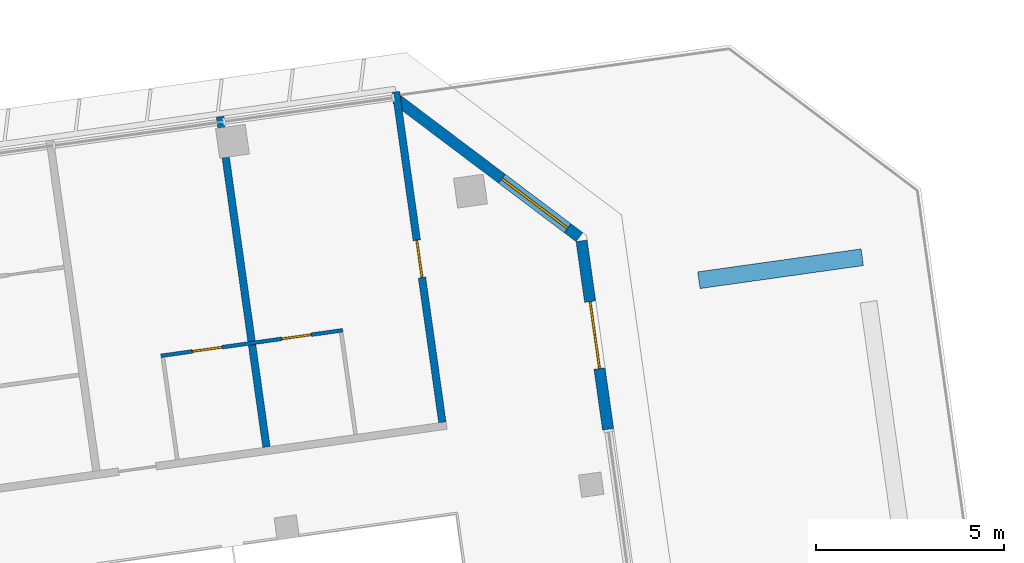
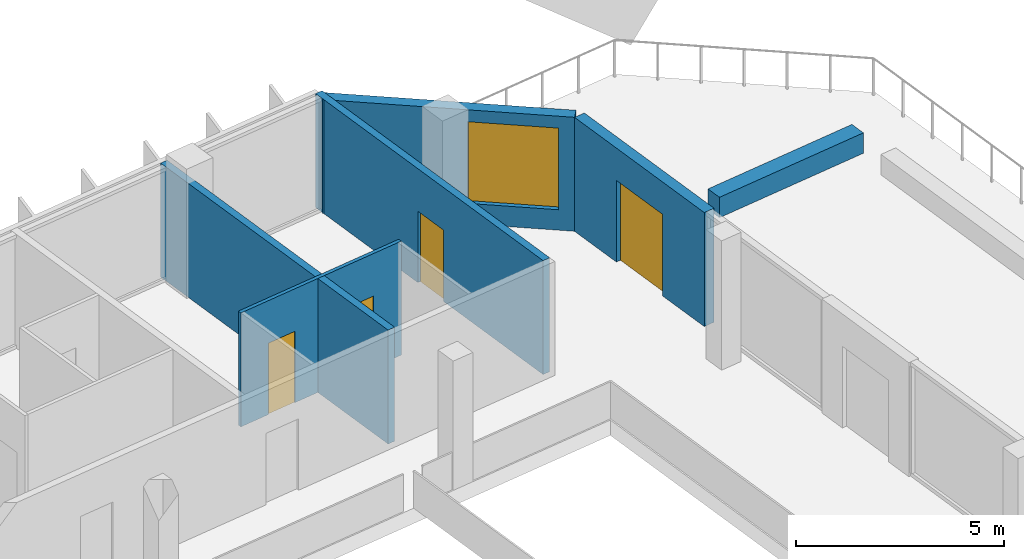
# One storey, part 20 of 23: 6 walls, 4 doors, 1 window, 5 openings.
"""IFC4 building model written with IfcOpenShell, lengths in metres."""

from ifc_helpers import new_model, si_unit, direction, frame, frame_2d, origin, place, context, subcontext, project, spatial, rectangle, extrude, material, layer, layer_set, type_object, element, fill, save


model = new_model("IFC4")

# Units and contexts
model_context = context("Model", 3, precision=1e-05, world=origin(), true_north=direction((0.0, 1.0)))
body_context = subcontext(model_context, "Body", "Model", "MODEL_VIEW")
ifc_project = project(units=[si_unit("LENGTHUNIT", "METRE"), si_unit("AREAUNIT", "SQUARE_METRE"), si_unit("VOLUMEUNIT", "CUBIC_METRE"), si_unit("PLANEANGLEUNIT", "RADIAN"), si_unit("MASSUNIT", "GRAM", prefix="KILO")], contexts=[model_context])

# Site, building, storey
site_placement = place(None, origin())
site = spatial("IfcSite", under=ifc_project, at=site_placement, CompositionType="ELEMENT")
building_placement = place(site_placement, origin())
building = spatial("IfcBuilding", under=site, at=building_placement, Name="Mirante Cascada Hotel Towers", CompositionType="ELEMENT")
storey_placement = place(building_placement, frame((0.0, 0.0, 180.2)))
storey = spatial("IfcBuildingStorey", under=building, at=storey_placement, Name="L42", CompositionType="ELEMENT", Elevation=180.2)

# Wall
ifc_material_1 = material(Name="Fire-rated plasterboard on metal studs")
ifc_layer_1 = layer(ifc_material_1, 0.2)
ifc_layer_set_1 = layer_set([ifc_layer_1], Name="Compartment wall 200 EI 120")
wall_type_1 = type_object("IfcWallType", Name="Compartment wall 200 EI 120", PredefinedType="PARTITIONING", material=ifc_layer_set_1)
wall_1_placement = place(storey_placement, frame((71.6831, 23.0449, 0.0), z_axis=(0.0, 0.0, 1.0), x_axis=(0.1391684, -0.9902687, 0.0)))
element("IfcWall", 1, at=wall_1_placement, inside=storey, type_object=wall_type_1, Name="Wall 2-L42-42", PredefinedType="PARTITIONING", context=body_context, shape_type="SweptSolid", body=[
    extrude(rectangle(XDim=8.9, YDim=0.2, at=frame_2d((4.45, 0.0))), origin(), (0.0, 0.0, 1.0), 3.35),
])

# Wall, opening, door
wall_2_placement = place(storey_placement, frame((76.374, 23.7042, 0.0), z_axis=(0.0, 0.0, 1.0), x_axis=(0.1391684, -0.9902687, 0.0)))
wall_2 = element("IfcWall", 2, at=wall_2_placement, inside=storey, type_object=wall_type_1, Name="Wall 2-L42-44", PredefinedType="PARTITIONING", context=body_context, shape_type="SweptSolid", body=[
    extrude(rectangle(XDim=8.9, YDim=0.2, at=frame_2d((4.45, 0.0))), origin(), (0.0, 0.0, 1.0), 3.35),
])
opening_1_placement = place(wall_2_placement, frame((4.0, 0.0, 0.0)))
opening_1 = element("IfcOpeningElement", 3, at=opening_1_placement, cuts=wall_2, Name="Opening D2-L42-28", PredefinedType="OPENING", context=body_context, shape_type="SweptSolid", body=[
    extrude(rectangle(XDim=1.0, YDim=2.1, at=frame_2d((0.5, 1.05))), frame((0.0, 0.1, 0.0), z_axis=(0.0, -1.0, 0.0), x_axis=(1.0, 0.0, 0.0)), (0.0, 0.0, 1.0), 0.2),
])
ifc_material_2 = material(Name="Fire-rated timber door leaf", Category="wood")
door_type_1 = type_object("IfcDoorType", Name="Entrance door DG1 1000x2100 EI 60", OperationType="SINGLE_SWING_LEFT", PredefinedType="DOOR", material=ifc_material_2)
door_1_placement = place(opening_1_placement, frame((1.0, 0.0, 0.0), z_axis=(0.0, 0.0, 1.0), x_axis=(-1.0, 0.0, 0.0)))
door_1 = element("IfcDoor", 4, at=door_1_placement, inside=storey, type_object=door_type_1, Name="Door D2-L42-28", OperationType="SINGLE_SWING_RIGHT", OverallHeight=2.1, OverallWidth=1.0, PredefinedType="DOOR", context=body_context, shape_type="SweptSolid", body=[
    extrude(rectangle(XDim=1.0, YDim=2.1, at=frame_2d((0.5, 1.05))), frame((0.0, 0.025, 0.0), z_axis=(0.0, -1.0, 0.0), x_axis=(1.0, 0.0, 0.0)), (0.0, 0.0, 1.0), 0.05),
])
fill(opening_1, door_1)

# Wall, openings, doors
ifc_material_3 = material(Name="Plasterboard on metal studs")
ifc_layer_2 = layer(ifc_material_3, 0.1)
ifc_layer_set_2 = layer_set([ifc_layer_2], Name="Partition 100")
wall_type_2 = type_object("IfcWallType", Name="Partition 100", PredefinedType="PARTITIONING", material=ifc_layer_set_2)
wall_3_placement = place(storey_placement, frame((74.9582, 17.3452, 0.0), z_axis=(0.0, 0.0, 1.0), x_axis=(-0.9902694, -0.1391638, 0.0)))
wall_3 = element("IfcWall", 5, at=wall_3_placement, inside=storey, type_object=wall_type_2, Name="Wall 2-L42-14", PredefinedType="PARTITIONING", context=body_context, shape_type="SweptSolid", body=[
    extrude(rectangle(XDim=4.9, YDim=0.1, at=frame_2d((2.45, 0.0))), origin(), (0.0, 0.0, 1.0), 3.35),
])
opening_2_placement = place(wall_3_placement, frame((3.25, 0.0, 0.0)))
opening_2 = element("IfcOpeningElement", 6, at=opening_2_placement, cuts=wall_3, Name="Opening D2-L42-10", PredefinedType="OPENING", context=body_context, shape_type="SweptSolid", body=[
    extrude(rectangle(XDim=0.8, YDim=2.1, at=frame_2d((0.4, 1.05))), frame((0.0, 0.05, 0.0), z_axis=(0.0, -1.0, 0.0), x_axis=(1.0, 0.0, 0.0)), (0.0, 0.0, 1.0), 0.1),
])
opening_3_placement = place(wall_3_placement, frame((0.85, 0.0, 0.0)))
opening_3 = element("IfcOpeningElement", 7, at=opening_3_placement, cuts=wall_3, Name="Opening D2-L42-11", PredefinedType="OPENING", context=body_context, shape_type="SweptSolid", body=[
    extrude(rectangle(XDim=0.8, YDim=2.1, at=frame_2d((0.4, 1.05))), frame((0.0, 0.05, 0.0), z_axis=(0.0, -1.0, 0.0), x_axis=(1.0, 0.0, 0.0)), (0.0, 0.0, 1.0), 0.1),
])
ifc_material_4 = material(Name="Timber door leaf", Category="wood")
door_type_2 = type_object("IfcDoorType", Name="Bathroom door DG4 800x2100", OperationType="SINGLE_SWING_LEFT", PredefinedType="DOOR", material=ifc_material_4)
door_2_placement = place(opening_2_placement, frame((0.8, 0.0, 0.0), z_axis=(0.0, 0.0, 1.0), x_axis=(-1.0, 0.0, 0.0)))
door_2 = element("IfcDoor", 8, at=door_2_placement, inside=storey, type_object=door_type_2, Name="Door D2-L42-10", OperationType="SINGLE_SWING_RIGHT", OverallHeight=2.1, OverallWidth=0.8, PredefinedType="DOOR", context=body_context, shape_type="SweptSolid", body=[
    extrude(rectangle(XDim=0.8, YDim=2.1, at=frame_2d((0.4, 1.05))), frame((0.0, 0.025, 0.0), z_axis=(0.0, -1.0, 0.0), x_axis=(1.0, 0.0, 0.0)), (0.0, 0.0, 1.0), 0.05),
])
fill(opening_2, door_2)
door_3_placement = place(opening_3_placement, frame((0.8, 0.0, 0.0), z_axis=(0.0, 0.0, 1.0), x_axis=(-1.0, 0.0, 0.0)))
door_3 = element("IfcDoor", 9, at=door_3_placement, inside=storey, type_object=door_type_2, Name="Door D2-L42-11", OperationType="SINGLE_SWING_RIGHT", OverallHeight=2.1, OverallWidth=0.8, PredefinedType="DOOR", context=body_context, shape_type="SweptSolid", body=[
    extrude(rectangle(XDim=0.8, YDim=2.1, at=frame_2d((0.4, 1.05))), frame((0.0, 0.025, 0.0), z_axis=(0.0, -1.0, 0.0), x_axis=(1.0, 0.0, 0.0)), (0.0, 0.0, 1.0), 0.05),
])
fill(opening_3, door_3)

# Wall
ifc_material_5 = material(Name="Precast concrete C40/50", Category="concrete")
ifc_layer_3 = layer(ifc_material_5, 0.45)
ifc_layer_set_3 = layer_set([ifc_layer_3], Name="Planter wall 450 concrete C40/50")
wall_type_3 = type_object("IfcWallType", Name="Planter wall 450 concrete C40/50", PredefinedType="PARAPET", material=ifc_layer_set_3)
wall_4_placement = place(storey_placement, frame((84.4519, 18.6795, 0.0), z_axis=(0.0, 0.0, 1.0), x_axis=(0.990267, 0.139181, 0.0)))
element("IfcWall", 10, at=wall_4_placement, inside=storey, type_object=wall_type_3, Name="PLANTER T2 L42 bed 2", PredefinedType="PARAPET", context=body_context, shape_type="SweptSolid", body=[
    extrude(rectangle(XDim=4.4, YDim=0.45, at=frame_2d((2.2, 0.0))), origin(), (0.0, 0.0, 1.0), 0.6),
])

# Wall, opening, window
ifc_material_6 = material(Name="Precast concrete C40/50", Category="concrete")
ifc_layer_4 = layer(ifc_material_6, 0.3)
ifc_layer_set_4 = layer_set([ifc_layer_4], Name="Precast concrete C40/50 cladding wall 300")
wall_type_4 = type_object("IfcWallType", Name="Precast concrete C40/50 cladding wall 300", PredefinedType="STANDARD", material=ifc_layer_set_4)
wall_5_placement = place(storey_placement, frame((81.2671, 19.8291, 0.0), z_axis=(0.0, 0.0, 1.0), x_axis=(-0.7986343, 0.6018167, 0.0)))
wall_5 = element("IfcWall", 11, at=wall_5_placement, inside=storey, type_object=wall_type_4, Name="Corner cladding wall T2 L42 outer front", PredefinedType="STANDARD", context=body_context, shape_type="SweptSolid", body=[
    extrude(rectangle(XDim=6.1158, YDim=0.3, at=frame_2d((3.0579, 0.0))), origin(), (0.0, 0.0, 1.0), 3.35),
])
opening_4_placement = place(wall_5_placement, frame((0.3914, 0.0, 0.6)))
opening_4 = element("IfcOpeningElement", 12, at=opening_4_placement, cuts=wall_5, Name="Opening W2-42-02", PredefinedType="OPENING", context=body_context, shape_type="SweptSolid", body=[
    extrude(rectangle(XDim=2.2, YDim=2.4, at=frame_2d((1.1, 1.2))), frame((0.0, 0.15, 0.0), z_axis=(0.0, -1.0, 0.0), x_axis=(1.0, 0.0, 0.0)), (0.0, 0.0, 1.0), 0.3),
])
ifc_material_7 = material(Name="Aluminium frame with clear double glazing", Category="aluminium")
window_type = type_object("IfcWindowType", Name="Corner suite window 2200x2400", PartitioningType="DOUBLE_PANEL_VERTICAL", PredefinedType="WINDOW", material=ifc_material_7)
window_placement = place(opening_4_placement, origin())
window = element("IfcWindow", 13, at=window_placement, inside=storey, type_object=window_type, Name="Window W2-42-02", OverallHeight=2.4, OverallWidth=2.2, PartitioningType="SINGLE_PANEL", PredefinedType="WINDOW", context=body_context, shape_type="SweptSolid", body=[
    extrude(rectangle(XDim=2.2, YDim=2.4, at=frame_2d((1.1, 1.2))), frame((0.0, 0.03, 0.0), z_axis=(0.0, -1.0, 0.0), x_axis=(1.0, 0.0, 0.0)), (0.0, 0.0, 1.0), 0.06),
])
fill(opening_4, window)

# Wall, opening, door
ifc_material_8 = material(Name="Precast concrete C40/50", Category="concrete")
ifc_layer_5 = layer(ifc_material_8, 0.3)
ifc_layer_set_5 = layer_set([ifc_layer_5], Name="Precast concrete C40/50 terrace wall 300")
wall_type_5 = type_object("IfcWallType", Name="Precast concrete C40/50 terrace wall 300", PredefinedType="STANDARD", material=ifc_layer_set_5)
wall_6_placement = place(storey_placement, frame((82.0316, 14.704, 0.0), z_axis=(0.0, 0.0, 1.0), x_axis=(-0.1391703, 0.9902685, 0.0)))
wall_6 = element("IfcWall", 14, at=wall_6_placement, inside=storey, type_object=wall_type_5, Name="Lounge door pier wall T2 L42 4", PredefinedType="STANDARD", context=body_context, shape_type="SweptSolid", body=[
    extrude(rectangle(XDim=5.0758, YDim=0.3, at=frame_2d((2.5379, 0.0))), origin(), (0.0, 0.0, 1.0), 3.35),
])
opening_5_placement = place(wall_6_placement, frame((1.6379, 0.0, 0.0)))
opening_5 = element("IfcOpeningElement", 15, at=opening_5_placement, cuts=wall_6, Name="Opening D2-42-92", PredefinedType="OPENING", context=body_context, shape_type="SweptSolid", body=[
    extrude(rectangle(XDim=1.8, YDim=2.4, at=frame_2d((0.9, 1.2))), frame((0.0, 0.15, 0.0), z_axis=(0.0, -1.0, 0.0), x_axis=(1.0, 0.0, 0.0)), (0.0, 0.0, 1.0), 0.3),
])
ifc_material_9 = material(Name="Aluminium frame with clear laminated glazing", Category="aluminium")
door_type_3 = type_object("IfcDoorType", Name="Terrace double door 1800x2400", OperationType="DOUBLE_DOOR_SINGLE_SWING", PredefinedType="DOOR", material=ifc_material_9)
door_4_placement = place(opening_5_placement, origin())
door_4 = element("IfcDoor", 16, at=door_4_placement, inside=storey, type_object=door_type_3, Name="Terrace door D2-42-92", OperationType="DOUBLE_DOOR_SINGLE_SWING", OverallHeight=2.4, OverallWidth=1.8, PredefinedType="DOOR", context=body_context, shape_type="SweptSolid", body=[
    extrude(rectangle(XDim=0.895, YDim=2.4, at=frame_2d((0.4475, 1.2))), frame((0.0, 0.025, 0.0), z_axis=(0.0, -1.0, 0.0), x_axis=(1.0, 0.0, 0.0)), (0.0, 0.0, 1.0), 0.05),
    extrude(rectangle(XDim=0.895, YDim=2.4, at=frame_2d((1.3525, 1.2))), frame((0.0, 0.025, 0.0), z_axis=(0.0, -1.0, 0.0), x_axis=(1.0, 0.0, 0.0)), (0.0, 0.0, 1.0), 0.05),
])
fill(opening_5, door_4)

save(model, "model.ifc")
